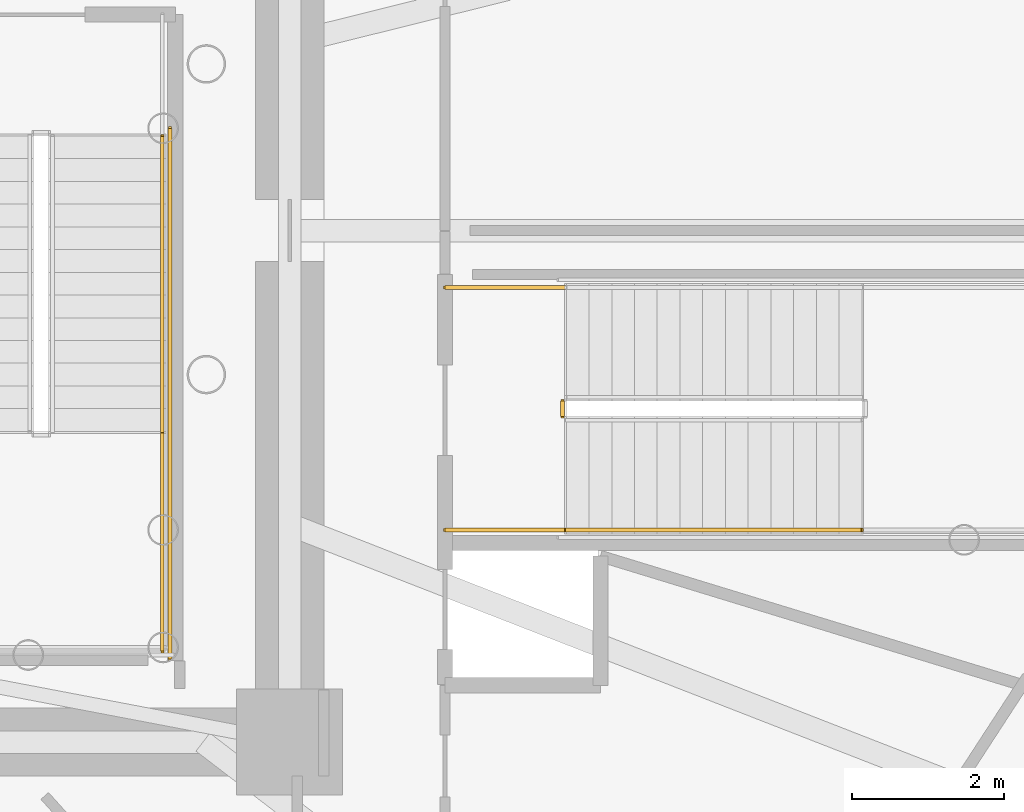
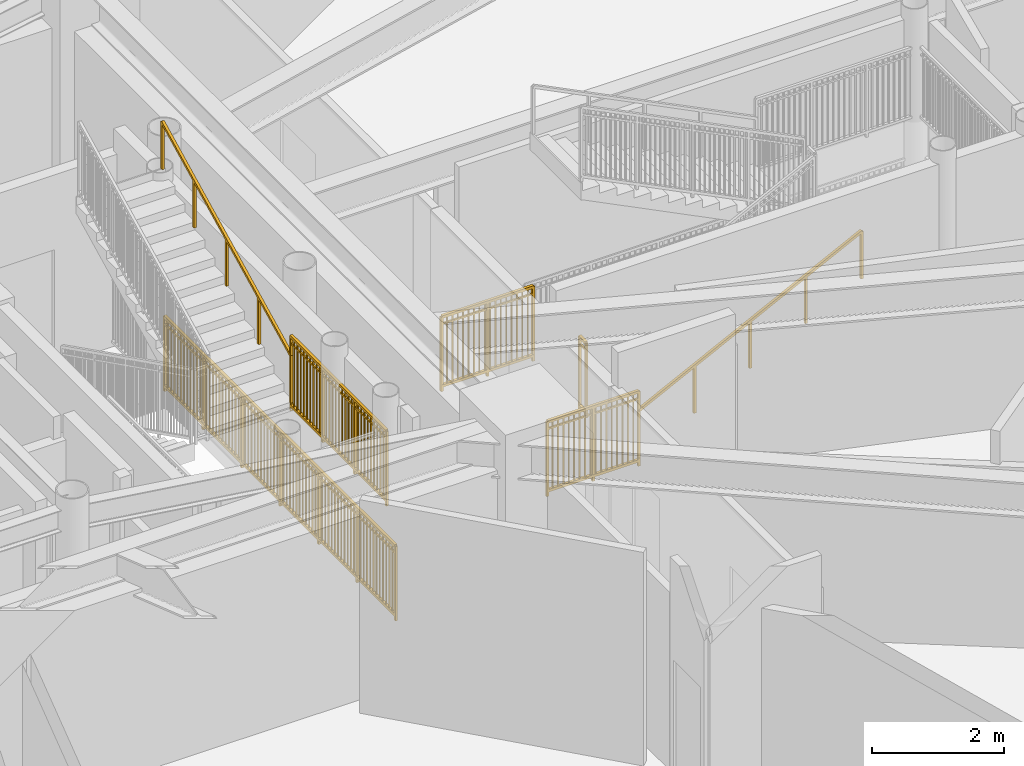
# One storey, part 29 of 32: 7 railings.
"""IFC4 building model written with IfcOpenShell, lengths in metres."""

from ifc_helpers import new_model, si_unit, direction, frame, origin, origin_2d, place, context, subcontext, project, spatial, rectangle, extrude, source, transform, mapped, material, type_object, element, save


model = new_model("IFC4")

# Units and contexts
model_context = context("Model", 3, precision=1e-05, world=origin(), true_north=direction((0.0, 1.0)))
body_context = subcontext(model_context, "Body", "Model", "MODEL_VIEW")
ifc_project = project(units=[si_unit("LENGTHUNIT", "METRE"), si_unit("AREAUNIT", "SQUARE_METRE"), si_unit("VOLUMEUNIT", "CUBIC_METRE"), si_unit("PLANEANGLEUNIT", "RADIAN"), si_unit("MASSUNIT", "GRAM", prefix="KILO")], contexts=[model_context])

# Site, building, storey
site_placement = place(None, origin())
site = spatial("IfcSite", under=ifc_project, at=site_placement, CompositionType="ELEMENT")
building_placement = place(site_placement, origin())
building = spatial("IfcBuilding", under=site, at=building_placement, Name="Linh Dai School and Residence Tower", CompositionType="ELEMENT")
storey_placement = place(building_placement, frame((0.0, 0.0, 40.800048828125)))
storey = spatial("IfcBuildingStorey", under=building, at=storey_placement, Name="L09", CompositionType="ELEMENT", Elevation=40.800048828125)

# Railings
ifc_material_1 = material(Name="Structural Steel S355JR", Category="steel")
railing_type_1 = type_object("IfcRailingType", Name="RL-ST-GUARD-1400", PredefinedType="GUARDRAIL", material=ifc_material_1)
shared_shape_1 = source(origin(), body_context, "Body", "SweptSolid", [
    extrude(rectangle(XDim=0.048095703125, YDim=0.048095703125, at=origin_2d()), frame((0.0, 0.0, 1.3759765625), z_axis=(0.0, -1.0, 0.0), x_axis=(1.0, 0.0, 0.0)), (0.0, 0.0, 1.0), 7.0),
    extrude(rectangle(XDim=0.048095703125, YDim=0.048095703125, at=origin_2d()), frame((0.0, 0.0, 0.10009765625), z_axis=(0.0, -1.0, 0.0), x_axis=(1.0, 0.0, 0.0)), (0.0, 0.0, 1.0), 7.0),
    extrude(rectangle(XDim=0.030029296875, YDim=0.030029296875, at=origin_2d()), frame((0.0, 0.0, 1.239990234375), z_axis=(0.0, -1.0, 0.0), x_axis=(1.0, 0.0, 0.0)), (0.0, 0.0, 1.0), 7.0),
    extrude(rectangle(XDim=0.02001953125, YDim=0.02001953125, at=origin_2d()), frame((0.0, -0.09716796875, 0.10009765625)), (0.0, 0.0, 1.0), 1.251708984375),
    extrude(rectangle(XDim=0.02001953125, YDim=0.02001953125, at=origin_2d()), frame((0.0, -0.1943359375, 0.10009765625)), (0.0, 0.0, 1.0), 1.251708984375),
    extrude(rectangle(XDim=0.02001953125, YDim=0.02001953125, at=origin_2d()), frame((0.0, -0.291748046875, 0.10009765625)), (0.0, 0.0, 1.0), 1.251708984375),
    extrude(rectangle(XDim=0.02001953125, YDim=0.02001953125, at=origin_2d()), frame((0.0, -0.388916015625, 0.10009765625)), (0.0, 0.0, 1.0), 1.251708984375),
    extrude(rectangle(XDim=0.02001953125, YDim=0.02001953125, at=origin_2d()), frame((0.0, -0.486083984375, 0.10009765625)), (0.0, 0.0, 1.0), 1.251708984375),
    extrude(rectangle(XDim=0.02001953125, YDim=0.02001953125, at=origin_2d()), frame((0.0, -0.583251953125, 0.10009765625)), (0.0, 0.0, 1.0), 1.251708984375),
    extrude(rectangle(XDim=0.02001953125, YDim=0.02001953125, at=origin_2d()), frame((0.0, -0.6806640625, 0.10009765625)), (0.0, 0.0, 1.0), 1.251708984375),
    extrude(rectangle(XDim=0.02001953125, YDim=0.02001953125, at=origin_2d()), frame((0.0, -0.77783203125, 0.10009765625)), (0.0, 0.0, 1.0), 1.251708984375),
    extrude(rectangle(XDim=0.02001953125, YDim=0.02001953125, at=origin_2d()), frame((0.0, -0.875, 0.10009765625)), (0.0, 0.0, 1.0), 1.251708984375),
    extrude(rectangle(XDim=0.02001953125, YDim=0.02001953125, at=origin_2d()), frame((0.0, -0.97216796875, 0.10009765625)), (0.0, 0.0, 1.0), 1.251708984375),
    extrude(rectangle(XDim=0.02001953125, YDim=0.02001953125, at=origin_2d()), frame((0.0, -1.0693359375, 0.10009765625)), (0.0, 0.0, 1.0), 1.251708984375),
    extrude(rectangle(XDim=0.02001953125, YDim=0.02001953125, at=origin_2d()), frame((0.0, -1.263916015625, 0.10009765625)), (0.0, 0.0, 1.0), 1.251708984375),
    extrude(rectangle(XDim=0.02001953125, YDim=0.02001953125, at=origin_2d()), frame((0.0, -1.361083984375, 0.10009765625)), (0.0, 0.0, 1.0), 1.251708984375),
    extrude(rectangle(XDim=0.02001953125, YDim=0.02001953125, at=origin_2d()), frame((0.0, -1.458251953125, 0.10009765625)), (0.0, 0.0, 1.0), 1.251708984375),
    extrude(rectangle(XDim=0.02001953125, YDim=0.02001953125, at=origin_2d()), frame((0.0, -1.5556640625, 0.10009765625)), (0.0, 0.0, 1.0), 1.251708984375),
    extrude(rectangle(XDim=0.02001953125, YDim=0.02001953125, at=origin_2d()), frame((0.0, -1.65283203125, 0.10009765625)), (0.0, 0.0, 1.0), 1.251708984375),
    extrude(rectangle(XDim=0.02001953125, YDim=0.02001953125, at=origin_2d()), frame((0.0, -1.75, 0.10009765625)), (0.0, 0.0, 1.0), 1.251708984375),
    extrude(rectangle(XDim=0.02001953125, YDim=0.02001953125, at=origin_2d()), frame((0.0, -1.84716796875, 0.10009765625)), (0.0, 0.0, 1.0), 1.251708984375),
    extrude(rectangle(XDim=0.02001953125, YDim=0.02001953125, at=origin_2d()), frame((0.0, -1.9443359375, 0.10009765625)), (0.0, 0.0, 1.0), 1.251708984375),
    extrude(rectangle(XDim=0.02001953125, YDim=0.02001953125, at=origin_2d()), frame((0.0, -2.041748046875, 0.10009765625)), (0.0, 0.0, 1.0), 1.251708984375),
    extrude(rectangle(XDim=0.02001953125, YDim=0.02001953125, at=origin_2d()), frame((0.0, -2.138916015625, 0.10009765625)), (0.0, 0.0, 1.0), 1.251708984375),
    extrude(rectangle(XDim=0.02001953125, YDim=0.02001953125, at=origin_2d()), frame((0.0, -2.236083984375, 0.10009765625)), (0.0, 0.0, 1.0), 1.251708984375),
    extrude(rectangle(XDim=0.02001953125, YDim=0.02001953125, at=origin_2d()), frame((0.0, -2.4306640625, 0.10009765625)), (0.0, 0.0, 1.0), 1.251708984375),
    extrude(rectangle(XDim=0.02001953125, YDim=0.02001953125, at=origin_2d()), frame((0.0, -2.52783203125, 0.10009765625)), (0.0, 0.0, 1.0), 1.251708984375),
    extrude(rectangle(XDim=0.02001953125, YDim=0.02001953125, at=origin_2d()), frame((0.0, -2.625, 0.10009765625)), (0.0, 0.0, 1.0), 1.251708984375),
    extrude(rectangle(XDim=0.02001953125, YDim=0.02001953125, at=origin_2d()), frame((0.0, -2.72216796875, 0.10009765625)), (0.0, 0.0, 1.0), 1.251708984375),
    extrude(rectangle(XDim=0.02001953125, YDim=0.02001953125, at=origin_2d()), frame((0.0, -2.8193359375, 0.10009765625)), (0.0, 0.0, 1.0), 1.251708984375),
    extrude(rectangle(XDim=0.02001953125, YDim=0.02001953125, at=origin_2d()), frame((0.0, -2.916748046875, 0.10009765625)), (0.0, 0.0, 1.0), 1.251708984375),
    extrude(rectangle(XDim=0.02001953125, YDim=0.02001953125, at=origin_2d()), frame((0.0, -3.013916015625, 0.10009765625)), (0.0, 0.0, 1.0), 1.251708984375),
    extrude(rectangle(XDim=0.02001953125, YDim=0.02001953125, at=origin_2d()), frame((0.0, -3.111083984375, 0.10009765625)), (0.0, 0.0, 1.0), 1.251708984375),
    extrude(rectangle(XDim=0.02001953125, YDim=0.02001953125, at=origin_2d()), frame((0.0, -3.208251953125, 0.10009765625)), (0.0, 0.0, 1.0), 1.251708984375),
    extrude(rectangle(XDim=0.02001953125, YDim=0.02001953125, at=origin_2d()), frame((0.0, -3.3056640625, 0.10009765625)), (0.0, 0.0, 1.0), 1.251708984375),
    extrude(rectangle(XDim=0.02001953125, YDim=0.02001953125, at=origin_2d()), frame((0.0, -3.40283203125, 0.10009765625)), (0.0, 0.0, 1.0), 1.251708984375),
    extrude(rectangle(XDim=0.02001953125, YDim=0.02001953125, at=origin_2d()), frame((0.0, -3.59716796875, 0.10009765625)), (0.0, 0.0, 1.0), 1.251708984375),
    extrude(rectangle(XDim=0.02001953125, YDim=0.02001953125, at=origin_2d()), frame((0.0, -3.6943359375, 0.10009765625)), (0.0, 0.0, 1.0), 1.251708984375),
    extrude(rectangle(XDim=0.02001953125, YDim=0.02001953125, at=origin_2d()), frame((0.0, -3.791748046875, 0.10009765625)), (0.0, 0.0, 1.0), 1.251708984375),
    extrude(rectangle(XDim=0.02001953125, YDim=0.02001953125, at=origin_2d()), frame((0.0, -3.888916015625, 0.10009765625)), (0.0, 0.0, 1.0), 1.251708984375),
    extrude(rectangle(XDim=0.02001953125, YDim=0.02001953125, at=origin_2d()), frame((0.0, -3.986083984375, 0.10009765625)), (0.0, 0.0, 1.0), 1.251708984375),
    extrude(rectangle(XDim=0.02001953125, YDim=0.02001953125, at=origin_2d()), frame((0.0, -4.083251953125, 0.10009765625)), (0.0, 0.0, 1.0), 1.251708984375),
    extrude(rectangle(XDim=0.02001953125, YDim=0.02001953125, at=origin_2d()), frame((0.0, -4.1806640625, 0.10009765625)), (0.0, 0.0, 1.0), 1.251708984375),
    extrude(rectangle(XDim=0.02001953125, YDim=0.02001953125, at=origin_2d()), frame((0.0, -4.27783203125, 0.10009765625)), (0.0, 0.0, 1.0), 1.251708984375),
    extrude(rectangle(XDim=0.02001953125, YDim=0.02001953125, at=origin_2d()), frame((0.0, -4.375, 0.10009765625)), (0.0, 0.0, 1.0), 1.251708984375),
    extrude(rectangle(XDim=0.02001953125, YDim=0.02001953125, at=origin_2d()), frame((0.0, -4.47216796875, 0.10009765625)), (0.0, 0.0, 1.0), 1.251708984375),
    extrude(rectangle(XDim=0.02001953125, YDim=0.02001953125, at=origin_2d()), frame((0.0, -4.5693359375, 0.10009765625)), (0.0, 0.0, 1.0), 1.251708984375),
    extrude(rectangle(XDim=0.02001953125, YDim=0.02001953125, at=origin_2d()), frame((0.0, -4.763916015625, 0.10009765625)), (0.0, 0.0, 1.0), 1.251708984375),
    extrude(rectangle(XDim=0.02001953125, YDim=0.02001953125, at=origin_2d()), frame((0.0, -4.861083984375, 0.10009765625)), (0.0, 0.0, 1.0), 1.251708984375),
    extrude(rectangle(XDim=0.02001953125, YDim=0.02001953125, at=origin_2d()), frame((0.0, -4.958251953125, 0.10009765625)), (0.0, 0.0, 1.0), 1.251708984375),
    extrude(rectangle(XDim=0.02001953125, YDim=0.02001953125, at=origin_2d()), frame((0.0, -5.0556640625, 0.10009765625)), (0.0, 0.0, 1.0), 1.251708984375),
    extrude(rectangle(XDim=0.02001953125, YDim=0.02001953125, at=origin_2d()), frame((0.0, -5.15283203125, 0.10009765625)), (0.0, 0.0, 1.0), 1.251708984375),
    extrude(rectangle(XDim=0.02001953125, YDim=0.02001953125, at=origin_2d()), frame((0.0, -5.25, 0.10009765625)), (0.0, 0.0, 1.0), 1.251708984375),
    extrude(rectangle(XDim=0.02001953125, YDim=0.02001953125, at=origin_2d()), frame((0.0, -5.34716796875, 0.10009765625)), (0.0, 0.0, 1.0), 1.251708984375),
    extrude(rectangle(XDim=0.02001953125, YDim=0.02001953125, at=origin_2d()), frame((0.0, -5.4443359375, 0.10009765625)), (0.0, 0.0, 1.0), 1.251708984375),
    extrude(rectangle(XDim=0.02001953125, YDim=0.02001953125, at=origin_2d()), frame((0.0, -5.541748046875, 0.10009765625)), (0.0, 0.0, 1.0), 1.251708984375),
    extrude(rectangle(XDim=0.02001953125, YDim=0.02001953125, at=origin_2d()), frame((0.0, -5.638916015625, 0.10009765625)), (0.0, 0.0, 1.0), 1.251708984375),
    extrude(rectangle(XDim=0.02001953125, YDim=0.02001953125, at=origin_2d()), frame((0.0, -5.736083984375, 0.10009765625)), (0.0, 0.0, 1.0), 1.251708984375),
    extrude(rectangle(XDim=0.02001953125, YDim=0.02001953125, at=origin_2d()), frame((0.0, -5.9306640625, 0.10009765625)), (0.0, 0.0, 1.0), 1.251708984375),
    extrude(rectangle(XDim=0.02001953125, YDim=0.02001953125, at=origin_2d()), frame((0.0, -6.02783203125, 0.10009765625)), (0.0, 0.0, 1.0), 1.251708984375),
    extrude(rectangle(XDim=0.02001953125, YDim=0.02001953125, at=origin_2d()), frame((0.0, -6.125, 0.10009765625)), (0.0, 0.0, 1.0), 1.251708984375),
    extrude(rectangle(XDim=0.02001953125, YDim=0.02001953125, at=origin_2d()), frame((0.0, -6.22216796875, 0.10009765625)), (0.0, 0.0, 1.0), 1.251708984375),
    extrude(rectangle(XDim=0.02001953125, YDim=0.02001953125, at=origin_2d()), frame((0.0, -6.3193359375, 0.10009765625)), (0.0, 0.0, 1.0), 1.251708984375),
    extrude(rectangle(XDim=0.02001953125, YDim=0.02001953125, at=origin_2d()), frame((0.0, -6.416748046875, 0.10009765625)), (0.0, 0.0, 1.0), 1.251708984375),
    extrude(rectangle(XDim=0.02001953125, YDim=0.02001953125, at=origin_2d()), frame((0.0, -6.513916015625, 0.10009765625)), (0.0, 0.0, 1.0), 1.251708984375),
    extrude(rectangle(XDim=0.02001953125, YDim=0.02001953125, at=origin_2d()), frame((0.0, -6.611083984375, 0.10009765625)), (0.0, 0.0, 1.0), 1.251708984375),
    extrude(rectangle(XDim=0.02001953125, YDim=0.02001953125, at=origin_2d()), frame((0.0, -6.708251953125, 0.10009765625)), (0.0, 0.0, 1.0), 1.251708984375),
    extrude(rectangle(XDim=0.02001953125, YDim=0.02001953125, at=origin_2d()), frame((0.0, -6.8056640625, 0.10009765625)), (0.0, 0.0, 1.0), 1.251708984375),
    extrude(rectangle(XDim=0.02001953125, YDim=0.02001953125, at=origin_2d()), frame((0.0, -6.90283203125, 0.10009765625)), (0.0, 0.0, 1.0), 1.251708984375),
    extrude(rectangle(XDim=0.0419921875, YDim=0.0419921875, at=origin_2d()), origin(), (0.0, 0.0, 1.0), 1.3759765625),
    extrude(rectangle(XDim=0.0419921875, YDim=0.0419921875, at=origin_2d()), frame((0.0, -1.166748046875, 0.0)), (0.0, 0.0, 1.0), 1.3759765625),
    extrude(rectangle(XDim=0.0419921875, YDim=0.0419921875, at=origin_2d()), frame((0.0, -2.333251953125, 0.0)), (0.0, 0.0, 1.0), 1.3759765625),
    extrude(rectangle(XDim=0.0419921875, YDim=0.0419921875, at=origin_2d()), frame((0.0, -3.5, 0.0)), (0.0, 0.0, 1.0), 1.3759765625),
    extrude(rectangle(XDim=0.0419921875, YDim=0.0419921875, at=origin_2d()), frame((0.0, -4.666748046875, 0.0)), (0.0, 0.0, 1.0), 1.3759765625),
    extrude(rectangle(XDim=0.0419921875, YDim=0.0419921875, at=origin_2d()), frame((0.0, -5.833251953125, 0.0)), (0.0, 0.0, 1.0), 1.3759765625),
    extrude(rectangle(XDim=0.0419921875, YDim=0.0419921875, at=origin_2d()), frame((0.0, -7.0, 0.0)), (0.0, 0.0, 1.0), 1.3759765625),
])
railing_1_placement = place(storey_placement, frame((44.3701171875, 28.35009765625, 0.0)))
element("IfcRailing", 1, at=railing_1_placement, inside=storey, type_object=railing_type_1, Name="L09 ST2 stair guard 11", PredefinedType="GUARDRAIL", context=body_context, shape_type="MappedRepresentation", body=[
    mapped(shared_shape_1, transform((0.0, 0.0, 0.0), x_axis=(1.0, 0.0, 0.0), y_axis=(0.0, 1.0, 0.0), z_axis=(0.0, 0.0, 1.0), scale=1.0)),
])
shared_shape_2 = source(origin(), body_context, "Body", "SweptSolid", [
    extrude(rectangle(XDim=0.048095703125, YDim=0.048095703125, at=origin_2d()), frame((0.0, 0.0, 1.3759765625), z_axis=(0.0, -1.0, 0.0), x_axis=(1.0, 0.0, 0.0)), (0.0, 0.0, 1.0), 2.900146484375),
    extrude(rectangle(XDim=0.048095703125, YDim=0.048095703125, at=origin_2d()), frame((0.0, 0.0, 0.10009765625), z_axis=(0.0, -1.0, 0.0), x_axis=(1.0, 0.0, 0.0)), (0.0, 0.0, 1.0), 2.900146484375),
    extrude(rectangle(XDim=0.030029296875, YDim=0.030029296875, at=origin_2d()), frame((0.0, 0.0, 1.239990234375), z_axis=(0.0, -1.0, 0.0), x_axis=(1.0, 0.0, 0.0)), (0.0, 0.0, 1.0), 2.900146484375),
    extrude(rectangle(XDim=0.02001953125, YDim=0.02001953125, at=origin_2d()), frame((0.0, -0.0966796875, 0.10009765625)), (0.0, 0.0, 1.0), 1.251708984375),
    extrude(rectangle(XDim=0.02001953125, YDim=0.02001953125, at=origin_2d()), frame((0.0, -0.193359375, 0.10009765625)), (0.0, 0.0, 1.0), 1.251708984375),
    extrude(rectangle(XDim=0.02001953125, YDim=0.02001953125, at=origin_2d()), frame((0.0, -0.2900390625, 0.10009765625)), (0.0, 0.0, 1.0), 1.251708984375),
    extrude(rectangle(XDim=0.02001953125, YDim=0.02001953125, at=origin_2d()), frame((0.0, -0.38671875, 0.10009765625)), (0.0, 0.0, 1.0), 1.251708984375),
    extrude(rectangle(XDim=0.02001953125, YDim=0.02001953125, at=origin_2d()), frame((0.0, -0.4833984375, 0.10009765625)), (0.0, 0.0, 1.0), 1.251708984375),
    extrude(rectangle(XDim=0.02001953125, YDim=0.02001953125, at=origin_2d()), frame((0.0, -0.580078125, 0.10009765625)), (0.0, 0.0, 1.0), 1.251708984375),
    extrude(rectangle(XDim=0.02001953125, YDim=0.02001953125, at=origin_2d()), frame((0.0, -0.6767578125, 0.10009765625)), (0.0, 0.0, 1.0), 1.251708984375),
    extrude(rectangle(XDim=0.02001953125, YDim=0.02001953125, at=origin_2d()), frame((0.0, -0.7734375, 0.10009765625)), (0.0, 0.0, 1.0), 1.251708984375),
    extrude(rectangle(XDim=0.02001953125, YDim=0.02001953125, at=origin_2d()), frame((0.0, -0.8701171875, 0.10009765625)), (0.0, 0.0, 1.0), 1.251708984375),
    extrude(rectangle(XDim=0.02001953125, YDim=0.02001953125, at=origin_2d()), frame((0.0, -1.0634765625, 0.10009765625)), (0.0, 0.0, 1.0), 1.251708984375),
    extrude(rectangle(XDim=0.02001953125, YDim=0.02001953125, at=origin_2d()), frame((0.0, -1.16015625, 0.10009765625)), (0.0, 0.0, 1.0), 1.251708984375),
    extrude(rectangle(XDim=0.02001953125, YDim=0.02001953125, at=origin_2d()), frame((0.0, -1.2568359375, 0.10009765625)), (0.0, 0.0, 1.0), 1.251708984375),
    extrude(rectangle(XDim=0.02001953125, YDim=0.02001953125, at=origin_2d()), frame((0.0, -1.353515625, 0.10009765625)), (0.0, 0.0, 1.0), 1.251708984375),
    extrude(rectangle(XDim=0.02001953125, YDim=0.02001953125, at=origin_2d()), frame((0.0, -1.4501953125, 0.10009765625)), (0.0, 0.0, 1.0), 1.251708984375),
    extrude(rectangle(XDim=0.02001953125, YDim=0.02001953125, at=origin_2d()), frame((0.0, -1.546630859375, 0.10009765625)), (0.0, 0.0, 1.0), 1.251708984375),
    extrude(rectangle(XDim=0.02001953125, YDim=0.02001953125, at=origin_2d()), frame((0.0, -1.643310546875, 0.10009765625)), (0.0, 0.0, 1.0), 1.251708984375),
    extrude(rectangle(XDim=0.02001953125, YDim=0.02001953125, at=origin_2d()), frame((0.0, -1.739990234375, 0.10009765625)), (0.0, 0.0, 1.0), 1.251708984375),
    extrude(rectangle(XDim=0.02001953125, YDim=0.02001953125, at=origin_2d()), frame((0.0, -1.836669921875, 0.10009765625)), (0.0, 0.0, 1.0), 1.251708984375),
    extrude(rectangle(XDim=0.02001953125, YDim=0.02001953125, at=origin_2d()), frame((0.0, -2.030029296875, 0.10009765625)), (0.0, 0.0, 1.0), 1.251708984375),
    extrude(rectangle(XDim=0.02001953125, YDim=0.02001953125, at=origin_2d()), frame((0.0, -2.126708984375, 0.10009765625)), (0.0, 0.0, 1.0), 1.251708984375),
    extrude(rectangle(XDim=0.02001953125, YDim=0.02001953125, at=origin_2d()), frame((0.0, -2.223388671875, 0.10009765625)), (0.0, 0.0, 1.0), 1.251708984375),
    extrude(rectangle(XDim=0.02001953125, YDim=0.02001953125, at=origin_2d()), frame((0.0, -2.320068359375, 0.10009765625)), (0.0, 0.0, 1.0), 1.251708984375),
    extrude(rectangle(XDim=0.02001953125, YDim=0.02001953125, at=origin_2d()), frame((0.0, -2.416748046875, 0.10009765625)), (0.0, 0.0, 1.0), 1.251708984375),
    extrude(rectangle(XDim=0.02001953125, YDim=0.02001953125, at=origin_2d()), frame((0.0, -2.513427734375, 0.10009765625)), (0.0, 0.0, 1.0), 1.251708984375),
    extrude(rectangle(XDim=0.02001953125, YDim=0.02001953125, at=origin_2d()), frame((0.0, -2.610107421875, 0.10009765625)), (0.0, 0.0, 1.0), 1.251708984375),
    extrude(rectangle(XDim=0.02001953125, YDim=0.02001953125, at=origin_2d()), frame((0.0, -2.706787109375, 0.10009765625)), (0.0, 0.0, 1.0), 1.251708984375),
    extrude(rectangle(XDim=0.02001953125, YDim=0.02001953125, at=origin_2d()), frame((0.0, -2.803466796875, 0.10009765625)), (0.0, 0.0, 1.0), 1.251708984375),
    extrude(rectangle(XDim=0.0419921875, YDim=0.0419921875, at=origin_2d()), origin(), (0.0, 0.0, 1.0), 1.3759765625),
    extrude(rectangle(XDim=0.0419921875, YDim=0.0419921875, at=origin_2d()), frame((0.0, -0.966796875, 0.0)), (0.0, 0.0, 1.0), 1.3759765625),
    extrude(rectangle(XDim=0.0419921875, YDim=0.0419921875, at=origin_2d()), frame((0.0, -1.933349609375, 0.0)), (0.0, 0.0, 1.0), 1.3759765625),
    extrude(rectangle(XDim=0.0419921875, YDim=0.0419921875, at=origin_2d()), frame((0.0, -2.900146484375, 0.0)), (0.0, 0.0, 1.0), 1.3759765625),
])
railing_2_placement = place(storey_placement, frame((44.27001953125, 24.35009765625, 2.099853515625)))
element("IfcRailing", 2, at=railing_2_placement, inside=storey, type_object=railing_type_1, Name="L09 ST2 stair guard 4", PredefinedType="GUARDRAIL", context=body_context, shape_type="MappedRepresentation", body=[
    mapped(shared_shape_2, transform((0.0, 0.0, 0.0), x_axis=(1.0, 0.0, 0.0), y_axis=(0.0, 1.0, 0.0), z_axis=(0.0, 0.0, 1.0), scale=1.0)),
])
ifc_material_2 = material(Name="Brushed Stainless Steel Handrail", Category="steel")
railing_type_2 = type_object("IfcRailingType", Name="RL-ST-HANDRAIL-900", PredefinedType="HANDRAIL", material=ifc_material_2)
shared_shape_3 = source(origin(), body_context, "Body", "SweptSolid", [
    extrude(rectangle(XDim=0.048095703125, YDim=0.048095703125, at=origin_2d()), frame((0.0, 0.0, 0.8759765625), z_axis=(0.0, 0.894427191, 0.4472135955), x_axis=(-1.0, 0.0, 0.0)), (0.0, 0.0, 1.0), 4.360107421875),
    extrude(rectangle(XDim=0.0419921875, YDim=0.0419921875, at=origin_2d()), origin(), (0.0, 0.0, 1.0), 0.8759765625),
    extrude(rectangle(XDim=0.0419921875, YDim=0.0419921875, at=origin_2d()), frame((0.0, 0.97509765625, 0.487548828125)), (0.0, 0.0, 1.0), 0.8759765625),
    extrude(rectangle(XDim=0.0419921875, YDim=0.0419921875, at=origin_2d()), frame((0.0, 1.949951171875, 0.97509765625)), (0.0, 0.0, 1.0), 0.8759765625),
    extrude(rectangle(XDim=0.0419921875, YDim=0.0419921875, at=origin_2d()), frame((0.0, 2.9248046875, 1.46240234375)), (0.0, 0.0, 1.0), 0.8759765625),
    extrude(rectangle(XDim=0.0419921875, YDim=0.0419921875, at=origin_2d()), frame((0.0, 3.89990234375, 1.949951171875)), (0.0, 0.0, 1.0), 0.8759765625),
])
railing_3_placement = place(storey_placement, frame((44.27001953125, 24.35009765625, 2.25)))
element("IfcRailing", 3, at=railing_3_placement, inside=storey, type_object=railing_type_2, Name="L09 ST2 stair handrail 2", PredefinedType="HANDRAIL", context=body_context, shape_type="MappedRepresentation", body=[
    mapped(shared_shape_3, transform((0.0, 0.0, 0.0), x_axis=(1.0, 0.0, 0.0), y_axis=(0.0, 1.0, 0.0), z_axis=(0.0, 0.0, 1.0), scale=1.0)),
])
shared_shape_4 = source(origin(), body_context, "Body", "SweptSolid", [
    extrude(rectangle(XDim=0.048095703125, YDim=0.048095703125, at=origin_2d()), frame((0.0, 0.0, 0.8759765625), z_axis=(0.894427191, 0.0, 0.4472135955), x_axis=(0.0, 1.0, 0.0)), (0.0, 0.0, 1.0), 4.360107421875),
    extrude(rectangle(XDim=0.0419921875, YDim=0.0419921875, at=origin_2d()), origin(), (0.0, 0.0, 1.0), 0.8759765625),
    extrude(rectangle(XDim=0.0419921875, YDim=0.0419921875, at=origin_2d()), frame((0.97509765625, 0.0, 0.487548828125)), (0.0, 0.0, 1.0), 0.8759765625),
    extrude(rectangle(XDim=0.0419921875, YDim=0.0419921875, at=origin_2d()), frame((1.949951171875, 0.0, 0.97509765625)), (0.0, 0.0, 1.0), 0.8759765625),
    extrude(rectangle(XDim=0.0419921875, YDim=0.0419921875, at=origin_2d()), frame((2.9248046875, 0.0, 1.46240234375)), (0.0, 0.0, 1.0), 0.8759765625),
    extrude(rectangle(XDim=0.0419921875, YDim=0.0419921875, at=origin_2d()), frame((3.89990234375, 0.0, 1.949951171875)), (0.0, 0.0, 1.0), 0.8759765625),
])
railing_4_placement = place(storey_placement, frame((49.60009765625, 23.050048828125, 0.14990234375)))
element("IfcRailing", 4, at=railing_4_placement, inside=storey, type_object=railing_type_2, Name="L09 STS2 stair handrail 1", PredefinedType="HANDRAIL", context=body_context, shape_type="MappedRepresentation", body=[
    mapped(shared_shape_4, transform((0.0, 0.0, 0.0), x_axis=(1.0, 0.0, 0.0), y_axis=(0.0, 1.0, 0.0), z_axis=(0.0, 0.0, 1.0), scale=1.0)),
])
shared_shape_5 = source(origin(), body_context, "Body", "SweptSolid", [
    extrude(rectangle(XDim=0.048095703125, YDim=0.048095703125, at=origin_2d()), frame((0.0, 0.0, 1.3759765625), z_axis=(0.0, 1.0, 0.0), x_axis=(-1.0, 0.0, 0.0)), (0.0, 0.0, 1.0), 0.199951171875),
    extrude(rectangle(XDim=0.048095703125, YDim=0.048095703125, at=origin_2d()), frame((0.0, 0.0, 0.10009765625), z_axis=(0.0, 1.0, 0.0), x_axis=(-1.0, 0.0, 0.0)), (0.0, 0.0, 1.0), 0.199951171875),
    extrude(rectangle(XDim=0.030029296875, YDim=0.030029296875, at=origin_2d()), frame((0.0, 0.0, 1.239990234375), z_axis=(0.0, 1.0, 0.0), x_axis=(-1.0, 0.0, 0.0)), (0.0, 0.0, 1.0), 0.199951171875),
    extrude(rectangle(XDim=0.0419921875, YDim=0.0419921875, at=origin_2d()), origin(), (0.0, 0.0, 1.0), 1.3759765625),
    extrude(rectangle(XDim=0.0419921875, YDim=0.0419921875, at=origin_2d()), frame((0.0, 0.199951171875, 0.0)), (0.0, 0.0, 1.0), 1.3759765625),
])
railing_5_placement = place(storey_placement, frame((49.550048828125, 24.550048828125, 0.0)))
element("IfcRailing", 5, at=railing_5_placement, inside=storey, type_object=railing_type_1, Name="L09 STS2 stair guard 7", PredefinedType="GUARDRAIL", context=body_context, shape_type="MappedRepresentation", body=[
    mapped(shared_shape_5, transform((0.0, 0.0, 0.0), x_axis=(1.0, 0.0, 0.0), y_axis=(0.0, 1.0, 0.0), z_axis=(0.0, 0.0, 1.0), scale=1.0)),
])
shared_shape_6 = source(origin(), body_context, "Body", "SweptSolid", [
    extrude(rectangle(XDim=0.048095703125, YDim=0.048095703125, at=origin_2d()), frame((0.0, 0.0, 1.3759765625), z_axis=(1.0, 0.0, 0.0), x_axis=(0.0, 1.0, 0.0)), (0.0, 0.0, 1.0), 1.60009765625),
    extrude(rectangle(XDim=0.048095703125, YDim=0.048095703125, at=origin_2d()), frame((0.0, 0.0, 0.10009765625), z_axis=(1.0, 0.0, 0.0), x_axis=(0.0, 1.0, 0.0)), (0.0, 0.0, 1.0), 1.60009765625),
    extrude(rectangle(XDim=0.030029296875, YDim=0.030029296875, at=origin_2d()), frame((0.0, 0.0, 1.239990234375), z_axis=(1.0, 0.0, 0.0), x_axis=(0.0, 1.0, 0.0)), (0.0, 0.0, 1.0), 1.60009765625),
    extrude(rectangle(XDim=0.02001953125, YDim=0.02001953125, at=origin_2d()), frame((0.09423828125, 0.0, 0.10009765625)), (0.0, 0.0, 1.0), 1.251708984375),
    extrude(rectangle(XDim=0.02001953125, YDim=0.02001953125, at=origin_2d()), frame((0.188232421875, 0.0, 0.10009765625)), (0.0, 0.0, 1.0), 1.251708984375),
    extrude(rectangle(XDim=0.02001953125, YDim=0.02001953125, at=origin_2d()), frame((0.282470703125, 0.0, 0.10009765625)), (0.0, 0.0, 1.0), 1.251708984375),
    extrude(rectangle(XDim=0.02001953125, YDim=0.02001953125, at=origin_2d()), frame((0.37646484375, 0.0, 0.10009765625)), (0.0, 0.0, 1.0), 1.251708984375),
    extrude(rectangle(XDim=0.02001953125, YDim=0.02001953125, at=origin_2d()), frame((0.470703125, 0.0, 0.10009765625)), (0.0, 0.0, 1.0), 1.251708984375),
    extrude(rectangle(XDim=0.02001953125, YDim=0.02001953125, at=origin_2d()), frame((0.564697265625, 0.0, 0.10009765625)), (0.0, 0.0, 1.0), 1.251708984375),
    extrude(rectangle(XDim=0.02001953125, YDim=0.02001953125, at=origin_2d()), frame((0.658935546875, 0.0, 0.10009765625)), (0.0, 0.0, 1.0), 1.251708984375),
    extrude(rectangle(XDim=0.02001953125, YDim=0.02001953125, at=origin_2d()), frame((0.7529296875, 0.0, 0.10009765625)), (0.0, 0.0, 1.0), 1.251708984375),
    extrude(rectangle(XDim=0.02001953125, YDim=0.02001953125, at=origin_2d()), frame((0.84716796875, 0.0, 0.10009765625)), (0.0, 0.0, 1.0), 1.251708984375),
    extrude(rectangle(XDim=0.02001953125, YDim=0.02001953125, at=origin_2d()), frame((0.941162109375, 0.0, 0.10009765625)), (0.0, 0.0, 1.0), 1.251708984375),
    extrude(rectangle(XDim=0.02001953125, YDim=0.02001953125, at=origin_2d()), frame((1.035400390625, 0.0, 0.10009765625)), (0.0, 0.0, 1.0), 1.251708984375),
    extrude(rectangle(XDim=0.02001953125, YDim=0.02001953125, at=origin_2d()), frame((1.12939453125, 0.0, 0.10009765625)), (0.0, 0.0, 1.0), 1.251708984375),
    extrude(rectangle(XDim=0.02001953125, YDim=0.02001953125, at=origin_2d()), frame((1.2236328125, 0.0, 0.10009765625)), (0.0, 0.0, 1.0), 1.251708984375),
    extrude(rectangle(XDim=0.02001953125, YDim=0.02001953125, at=origin_2d()), frame((1.317626953125, 0.0, 0.10009765625)), (0.0, 0.0, 1.0), 1.251708984375),
    extrude(rectangle(XDim=0.02001953125, YDim=0.02001953125, at=origin_2d()), frame((1.411865234375, 0.0, 0.10009765625)), (0.0, 0.0, 1.0), 1.251708984375),
    extrude(rectangle(XDim=0.02001953125, YDim=0.02001953125, at=origin_2d()), frame((1.505859375, 0.0, 0.10009765625)), (0.0, 0.0, 1.0), 1.251708984375),
    extrude(rectangle(XDim=0.0419921875, YDim=0.0419921875, at=origin_2d()), origin(), (0.0, 0.0, 1.0), 1.3759765625),
    extrude(rectangle(XDim=0.0419921875, YDim=0.0419921875, at=origin_2d()), frame((0.800048828125, 0.0, 0.0)), (0.0, 0.0, 1.0), 1.3759765625),
    extrude(rectangle(XDim=0.0419921875, YDim=0.0419921875, at=origin_2d()), frame((1.60009765625, 0.0, 0.0)), (0.0, 0.0, 1.0), 1.3759765625),
])
for number, where, name in (
    (6, (48.0, 23.050048828125, 0.0), "L09 STS2 stair guard 8"),
    (7, (48.0, 26.25, 0.0), "L09 STS2 stair guard 9"),
):
    element("IfcRailing", number, at=place(storey_placement, frame(where)), inside=storey, type_object=railing_type_1, Name=name, PredefinedType="GUARDRAIL", context=body_context, shape_type="MappedRepresentation", body=[
        mapped(shared_shape_6, transform((0.0, 0.0, 0.0), x_axis=(1.0, 0.0, 0.0), y_axis=(0.0, 1.0, 0.0), z_axis=(0.0, 0.0, 1.0), scale=1.0)),
    ])

save(model, "model.ifc")
